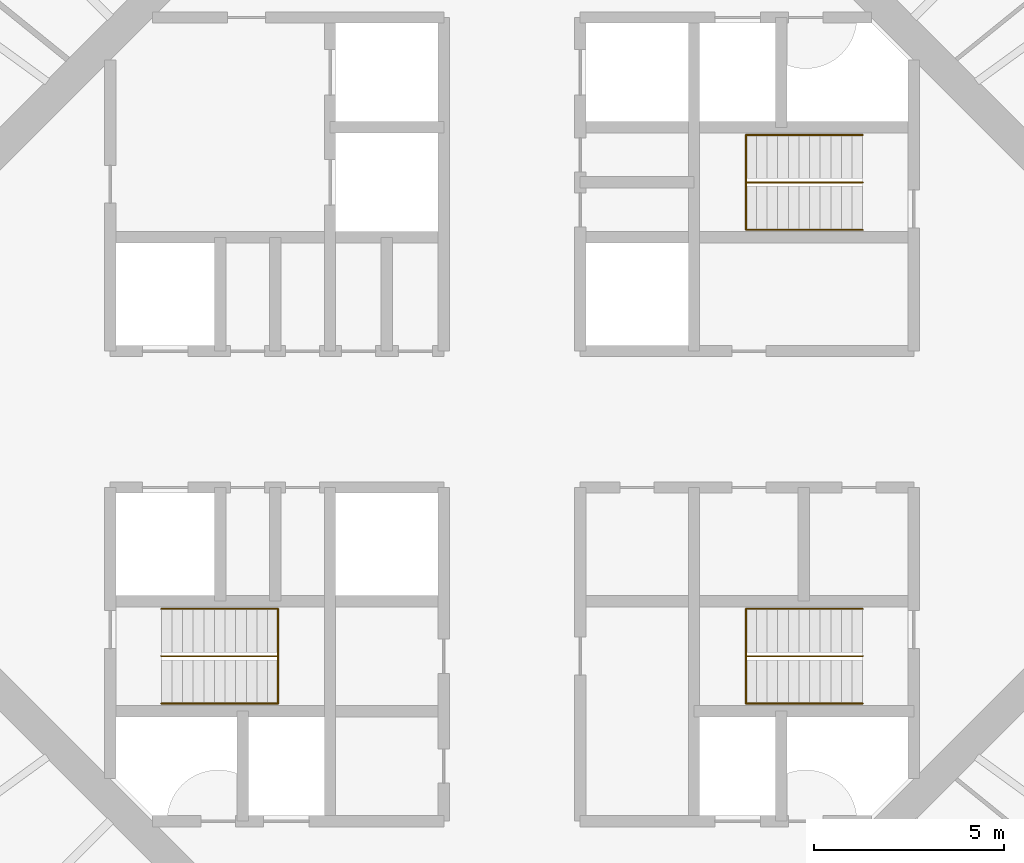
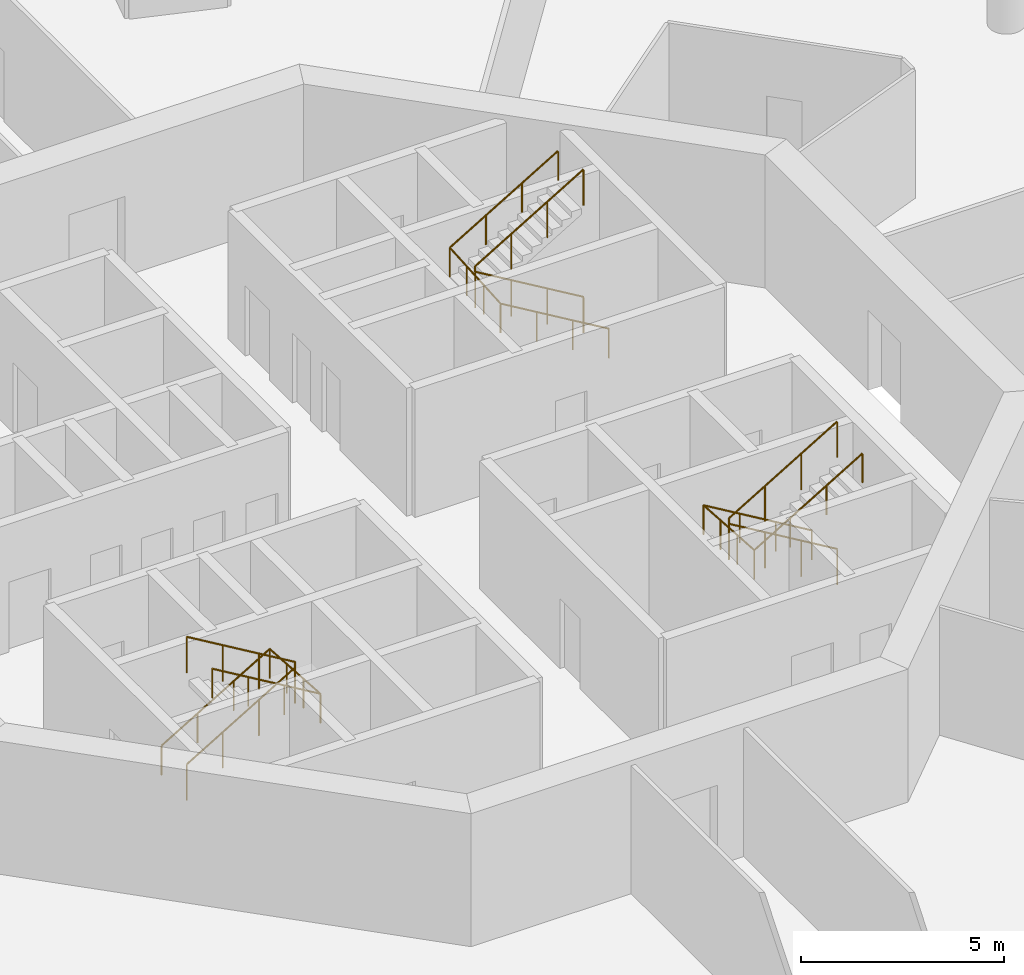
# One storey, part 13 of 13: 6 railings.
"""IFC4 building model written with IfcOpenShell, lengths in metres."""

from ifc_helpers import new_model, si_unit, direction, frame, origin, origin_2d, place, context, subcontext, project, spatial, circle, extrude, material, type_object, element, save


model = new_model("IFC4")

# Units and contexts
model_context = context("Model", 3, precision=1e-05, world=origin(), true_north=direction((0.0, 1.0)))
body_context = subcontext(model_context, "Body", "Model", "MODEL_VIEW")
ifc_project = project(units=[si_unit("LENGTHUNIT", "METRE"), si_unit("AREAUNIT", "SQUARE_METRE"), si_unit("VOLUMEUNIT", "CUBIC_METRE"), si_unit("PLANEANGLEUNIT", "RADIAN"), si_unit("MASSUNIT", "GRAM", prefix="KILO")], contexts=[model_context])

# Site, building, storey
site_placement = place(None, origin())
site = spatial("IfcSite", under=ifc_project, at=site_placement, CompositionType="ELEMENT")
building_placement = place(site_placement, origin())
building = spatial("IfcBuilding", under=site, at=building_placement, Name="Entoto Ring Tower", CompositionType="ELEMENT")
storey_placement = place(building_placement, frame((0.0, 0.0, 282.0)))
storey = spatial("IfcBuildingStorey", under=building, at=storey_placement, Name="L64", CompositionType="ELEMENT", Elevation=282.0)

# Railings
ifc_material_1 = material(Name="Steel S275", Category="steel")
railing_type_1 = type_object("IfcRailingType", Name="Stair guard 1100 mm steel", PredefinedType="GUARDRAIL", material=ifc_material_1)
railing_1_placement = place(storey_placement, frame((99.25, 86.25, 0.166748046875)))
element("IfcRailing", 1, at=railing_1_placement, inside=storey, type_object=railing_type_1, Name="Guard ST1", PredefinedType="GUARDRAIL", context=body_context, shape_type="SweptSolid", body=[
    extrude(circle(Radius=0.02392578125, at=origin_2d()), frame((0.0, 0.0, 1.076171875), z_axis=(-0.859308565015, 0.0, 0.511457515432), x_axis=(0.0, -1.0, 0.0)), (0.0, 0.0, 1.0), 3.58447265625),
    extrude(circle(Radius=0.02392578125, at=origin_2d()), frame((-3.080078125, 0.0, 2.9091796875), z_axis=(0.0, 0.0, 1.0), x_axis=(1.0, 0.0, 0.0)), (0.0, 0.0, 1.0), 0.166748046875),
    extrude(circle(Radius=0.02392578125, at=origin_2d()), frame((-3.080078125, 0.0, 3.076171875), z_axis=(0.859308565015, 0.0, 0.511457515432), x_axis=(0.0, 1.0, 0.0)), (0.0, 0.0, 1.0), 3.58447265625),
    extrude(circle(Radius=0.02099609375, at=origin_2d()), origin(), (0.0, 0.0, 1.0), 1.052001953125),
    extrude(circle(Radius=0.02099609375, at=origin_2d()), frame((-1.026611328125, 0.0, 0.611083984375)), (0.0, 0.0, 1.0), 1.052001953125),
    extrude(circle(Radius=0.02099609375, at=origin_2d()), frame((-2.053466796875, 0.0, 1.22216796875)), (0.0, 0.0, 1.0), 1.052001953125),
    extrude(circle(Radius=0.02099609375, at=origin_2d()), frame((-3.080078125, 0.0, 1.833251953125)), (0.0, 0.0, 1.0), 1.052001953125),
    extrude(circle(Radius=0.02099609375, at=origin_2d()), frame((-3.080078125, 0.0, 2.0)), (0.0, 0.0, 1.0), 1.052001953125),
    extrude(circle(Radius=0.02099609375, at=origin_2d()), frame((-2.053466796875, 0.0, 2.611083984375)), (0.0, 0.0, 1.0), 1.052001953125),
    extrude(circle(Radius=0.02099609375, at=origin_2d()), frame((-1.026611328125, 0.0, 3.22216796875)), (0.0, 0.0, 1.0), 1.052001953125),
    extrude(circle(Radius=0.02099609375, at=origin_2d()), frame((0.0, 0.0, 3.833251953125)), (0.0, 0.0, 1.0), 1.052001953125),
])
railing_2_placement = place(storey_placement, frame((80.75, 73.75, 0.166748046875)))
element("IfcRailing", 2, at=railing_2_placement, inside=storey, type_object=railing_type_1, Name="Guard ST2", PredefinedType="GUARDRAIL", context=body_context, shape_type="SweptSolid", body=[
    extrude(circle(Radius=0.02392578125, at=origin_2d()), frame((0.0, 0.0, 1.076171875), z_axis=(0.859308565015, 0.0, 0.511457515432), x_axis=(0.0, 1.0, 0.0)), (0.0, 0.0, 1.0), 3.58447265625),
    extrude(circle(Radius=0.02392578125, at=origin_2d()), frame((3.080078125, 0.0, 2.9091796875), z_axis=(0.0, 0.0, 1.0), x_axis=(1.0, 0.0, 0.0)), (0.0, 0.0, 1.0), 0.166748046875),
    extrude(circle(Radius=0.02392578125, at=origin_2d()), frame((3.080078125, 0.0, 3.076171875), z_axis=(-0.859308565015, 0.0, 0.511457515432), x_axis=(0.0, -1.0, 0.0)), (0.0, 0.0, 1.0), 3.58447265625),
    extrude(circle(Radius=0.02099609375, at=origin_2d()), origin(), (0.0, 0.0, 1.0), 1.052001953125),
    extrude(circle(Radius=0.02099609375, at=origin_2d()), frame((1.026611328125, 0.0, 0.611083984375)), (0.0, 0.0, 1.0), 1.052001953125),
    extrude(circle(Radius=0.02099609375, at=origin_2d()), frame((2.053466796875, 0.0, 1.22216796875)), (0.0, 0.0, 1.0), 1.052001953125),
    extrude(circle(Radius=0.02099609375, at=origin_2d()), frame((3.080078125, 0.0, 1.833251953125)), (0.0, 0.0, 1.0), 1.052001953125),
    extrude(circle(Radius=0.02099609375, at=origin_2d()), frame((3.080078125, 0.0, 2.0)), (0.0, 0.0, 1.0), 1.052001953125),
    extrude(circle(Radius=0.02099609375, at=origin_2d()), frame((2.053466796875, 0.0, 2.611083984375)), (0.0, 0.0, 1.0), 1.052001953125),
    extrude(circle(Radius=0.02099609375, at=origin_2d()), frame((1.026611328125, 0.0, 3.22216796875)), (0.0, 0.0, 1.0), 1.052001953125),
    extrude(circle(Radius=0.02099609375, at=origin_2d()), frame((0.0, 0.0, 3.833251953125)), (0.0, 0.0, 1.0), 1.052001953125),
])
railing_3_placement = place(storey_placement, frame((99.25, 73.75, 0.166748046875)))
element("IfcRailing", 3, at=railing_3_placement, inside=storey, type_object=railing_type_1, Name="Guard ST3", PredefinedType="GUARDRAIL", context=body_context, shape_type="SweptSolid", body=[
    extrude(circle(Radius=0.02392578125, at=origin_2d()), frame((0.0, 0.0, 1.076171875), z_axis=(-0.859308565015, 0.0, 0.511457515432), x_axis=(0.0, -1.0, 0.0)), (0.0, 0.0, 1.0), 3.58447265625),
    extrude(circle(Radius=0.02392578125, at=origin_2d()), frame((-3.080078125, 0.0, 2.9091796875), z_axis=(0.0, 0.0, 1.0), x_axis=(1.0, 0.0, 0.0)), (0.0, 0.0, 1.0), 0.166748046875),
    extrude(circle(Radius=0.02392578125, at=origin_2d()), frame((-3.080078125, 0.0, 3.076171875), z_axis=(0.859308565015, 0.0, 0.511457515432), x_axis=(0.0, 1.0, 0.0)), (0.0, 0.0, 1.0), 3.58447265625),
    extrude(circle(Radius=0.02099609375, at=origin_2d()), origin(), (0.0, 0.0, 1.0), 1.052001953125),
    extrude(circle(Radius=0.02099609375, at=origin_2d()), frame((-1.026611328125, 0.0, 0.611083984375)), (0.0, 0.0, 1.0), 1.052001953125),
    extrude(circle(Radius=0.02099609375, at=origin_2d()), frame((-2.053466796875, 0.0, 1.22216796875)), (0.0, 0.0, 1.0), 1.052001953125),
    extrude(circle(Radius=0.02099609375, at=origin_2d()), frame((-3.080078125, 0.0, 1.833251953125)), (0.0, 0.0, 1.0), 1.052001953125),
    extrude(circle(Radius=0.02099609375, at=origin_2d()), frame((-3.080078125, 0.0, 2.0)), (0.0, 0.0, 1.0), 1.052001953125),
    extrude(circle(Radius=0.02099609375, at=origin_2d()), frame((-2.053466796875, 0.0, 2.611083984375)), (0.0, 0.0, 1.0), 1.052001953125),
    extrude(circle(Radius=0.02099609375, at=origin_2d()), frame((-1.026611328125, 0.0, 3.22216796875)), (0.0, 0.0, 1.0), 1.052001953125),
    extrude(circle(Radius=0.02099609375, at=origin_2d()), frame((0.0, 0.0, 3.833251953125)), (0.0, 0.0, 1.0), 1.052001953125),
])
ifc_material_2 = material(Name="Steel S275", Category="steel")
railing_type_2 = type_object("IfcRailingType", Name="Stair handrail 900 mm steel", PredefinedType="HANDRAIL", material=ifc_material_2)
railing_4_placement = place(storey_placement, frame((99.25, 85.0, 0.166748046875)))
element("IfcRailing", 4, at=railing_4_placement, inside=storey, type_object=railing_type_2, Name="Handrail ST1", PredefinedType="HANDRAIL", context=body_context, shape_type="SweptSolid", body=[
    extrude(circle(Radius=0.02392578125, at=origin_2d()), frame((0.0, 0.0, 0.8759765625), z_axis=(-0.859308565015, 0.0, 0.511457515432), x_axis=(0.0, -1.0, 0.0)), (0.0, 0.0, 1.0), 3.58447265625),
    extrude(circle(Radius=0.02392578125, at=origin_2d()), frame((-3.080078125, 0.0, 2.708984375), z_axis=(0.0, 0.997783001586, 0.066551346688), x_axis=(-1.0, 0.0, 0.0)), (0.0, 0.0, 1.0), 2.505615234375),
    extrude(circle(Radius=0.02392578125, at=origin_2d()), frame((-3.080078125, 2.5, 2.8759765625), z_axis=(0.859308565015, 0.0, 0.511457515432), x_axis=(0.0, 1.0, 0.0)), (0.0, 0.0, 1.0), 3.58447265625),
    extrude(circle(Radius=0.02099609375, at=origin_2d()), origin(), (0.0, 0.0, 1.0), 0.851806640625),
    extrude(circle(Radius=0.02099609375, at=origin_2d()), frame((-1.026611328125, 0.0, 0.611083984375)), (0.0, 0.0, 1.0), 0.851806640625),
    extrude(circle(Radius=0.02099609375, at=origin_2d()), frame((-2.053466796875, 0.0, 1.22216796875)), (0.0, 0.0, 1.0), 0.851806640625),
    extrude(circle(Radius=0.02099609375, at=origin_2d()), frame((-3.080078125, 0.0, 1.833251953125)), (0.0, 0.0, 1.0), 0.851806640625),
    extrude(circle(Radius=0.02099609375, at=origin_2d()), frame((-3.080078125, 0.833251953125, 1.888916015625)), (0.0, 0.0, 1.0), 0.851806640625),
    extrude(circle(Radius=0.02099609375, at=origin_2d()), frame((-3.080078125, 1.666748046875, 1.9443359375)), (0.0, 0.0, 1.0), 0.851806640625),
    extrude(circle(Radius=0.02099609375, at=origin_2d()), frame((-3.080078125, 2.5, 2.0)), (0.0, 0.0, 1.0), 0.851806640625),
    extrude(circle(Radius=0.02099609375, at=origin_2d()), frame((-2.053466796875, 2.5, 2.611083984375)), (0.0, 0.0, 1.0), 0.851806640625),
    extrude(circle(Radius=0.02099609375, at=origin_2d()), frame((-1.026611328125, 2.5, 3.22216796875)), (0.0, 0.0, 1.0), 0.851806640625),
    extrude(circle(Radius=0.02099609375, at=origin_2d()), frame((0.0, 2.5, 3.833251953125)), (0.0, 0.0, 1.0), 0.851806640625),
])
railing_5_placement = place(storey_placement, frame((80.75, 75.0, 0.166748046875)))
element("IfcRailing", 5, at=railing_5_placement, inside=storey, type_object=railing_type_2, Name="Handrail ST2", PredefinedType="HANDRAIL", context=body_context, shape_type="SweptSolid", body=[
    extrude(circle(Radius=0.02392578125, at=origin_2d()), frame((0.0, 0.0, 0.8759765625), z_axis=(0.859308565015, 0.0, 0.511457515432), x_axis=(0.0, 1.0, 0.0)), (0.0, 0.0, 1.0), 3.58447265625),
    extrude(circle(Radius=0.02392578125, at=origin_2d()), frame((3.080078125, 0.0, 2.708984375), z_axis=(0.0, -0.997783001586, 0.066551346688), x_axis=(1.0, 0.0, 0.0)), (0.0, 0.0, 1.0), 2.505615234375),
    extrude(circle(Radius=0.02392578125, at=origin_2d()), frame((3.080078125, -2.5, 2.8759765625), z_axis=(-0.859308565015, 0.0, 0.511457515432), x_axis=(0.0, -1.0, 0.0)), (0.0, 0.0, 1.0), 3.58447265625),
    extrude(circle(Radius=0.02099609375, at=origin_2d()), origin(), (0.0, 0.0, 1.0), 0.851806640625),
    extrude(circle(Radius=0.02099609375, at=origin_2d()), frame((1.026611328125, 0.0, 0.611083984375)), (0.0, 0.0, 1.0), 0.851806640625),
    extrude(circle(Radius=0.02099609375, at=origin_2d()), frame((2.053466796875, 0.0, 1.22216796875)), (0.0, 0.0, 1.0), 0.851806640625),
    extrude(circle(Radius=0.02099609375, at=origin_2d()), frame((3.080078125, 0.0, 1.833251953125)), (0.0, 0.0, 1.0), 0.851806640625),
    extrude(circle(Radius=0.02099609375, at=origin_2d()), frame((3.080078125, -0.833251953125, 1.888916015625)), (0.0, 0.0, 1.0), 0.851806640625),
    extrude(circle(Radius=0.02099609375, at=origin_2d()), frame((3.080078125, -1.666748046875, 1.9443359375)), (0.0, 0.0, 1.0), 0.851806640625),
    extrude(circle(Radius=0.02099609375, at=origin_2d()), frame((3.080078125, -2.5, 2.0)), (0.0, 0.0, 1.0), 0.851806640625),
    extrude(circle(Radius=0.02099609375, at=origin_2d()), frame((2.053466796875, -2.5, 2.611083984375)), (0.0, 0.0, 1.0), 0.851806640625),
    extrude(circle(Radius=0.02099609375, at=origin_2d()), frame((1.026611328125, -2.5, 3.22216796875)), (0.0, 0.0, 1.0), 0.851806640625),
    extrude(circle(Radius=0.02099609375, at=origin_2d()), frame((0.0, -2.5, 3.833251953125)), (0.0, 0.0, 1.0), 0.851806640625),
])
railing_6_placement = place(storey_placement, frame((99.25, 75.0, 0.166748046875)))
element("IfcRailing", 6, at=railing_6_placement, inside=storey, type_object=railing_type_2, Name="Handrail ST3", PredefinedType="HANDRAIL", context=body_context, shape_type="SweptSolid", body=[
    extrude(circle(Radius=0.02392578125, at=origin_2d()), frame((0.0, 0.0, 0.8759765625), z_axis=(-0.859308565015, 0.0, 0.511457515432), x_axis=(0.0, -1.0, 0.0)), (0.0, 0.0, 1.0), 3.58447265625),
    extrude(circle(Radius=0.02392578125, at=origin_2d()), frame((-3.080078125, 0.0, 2.708984375), z_axis=(0.0, -0.997783001586, 0.066551346688), x_axis=(1.0, 0.0, 0.0)), (0.0, 0.0, 1.0), 2.505615234375),
    extrude(circle(Radius=0.02392578125, at=origin_2d()), frame((-3.080078125, -2.5, 2.8759765625), z_axis=(0.859308565015, 0.0, 0.511457515432), x_axis=(0.0, 1.0, 0.0)), (0.0, 0.0, 1.0), 3.58447265625),
    extrude(circle(Radius=0.02099609375, at=origin_2d()), origin(), (0.0, 0.0, 1.0), 0.851806640625),
    extrude(circle(Radius=0.02099609375, at=origin_2d()), frame((-1.026611328125, 0.0, 0.611083984375)), (0.0, 0.0, 1.0), 0.851806640625),
    extrude(circle(Radius=0.02099609375, at=origin_2d()), frame((-2.053466796875, 0.0, 1.22216796875)), (0.0, 0.0, 1.0), 0.851806640625),
    extrude(circle(Radius=0.02099609375, at=origin_2d()), frame((-3.080078125, 0.0, 1.833251953125)), (0.0, 0.0, 1.0), 0.851806640625),
    extrude(circle(Radius=0.02099609375, at=origin_2d()), frame((-3.080078125, -0.833251953125, 1.888916015625)), (0.0, 0.0, 1.0), 0.851806640625),
    extrude(circle(Radius=0.02099609375, at=origin_2d()), frame((-3.080078125, -1.666748046875, 1.9443359375)), (0.0, 0.0, 1.0), 0.851806640625),
    extrude(circle(Radius=0.02099609375, at=origin_2d()), frame((-3.080078125, -2.5, 2.0)), (0.0, 0.0, 1.0), 0.851806640625),
    extrude(circle(Radius=0.02099609375, at=origin_2d()), frame((-2.053466796875, -2.5, 2.611083984375)), (0.0, 0.0, 1.0), 0.851806640625),
    extrude(circle(Radius=0.02099609375, at=origin_2d()), frame((-1.026611328125, -2.5, 3.22216796875)), (0.0, 0.0, 1.0), 0.851806640625),
    extrude(circle(Radius=0.02099609375, at=origin_2d()), frame((0.0, -2.5, 3.833251953125)), (0.0, 0.0, 1.0), 0.851806640625),
])

save(model, "model.ifc")
